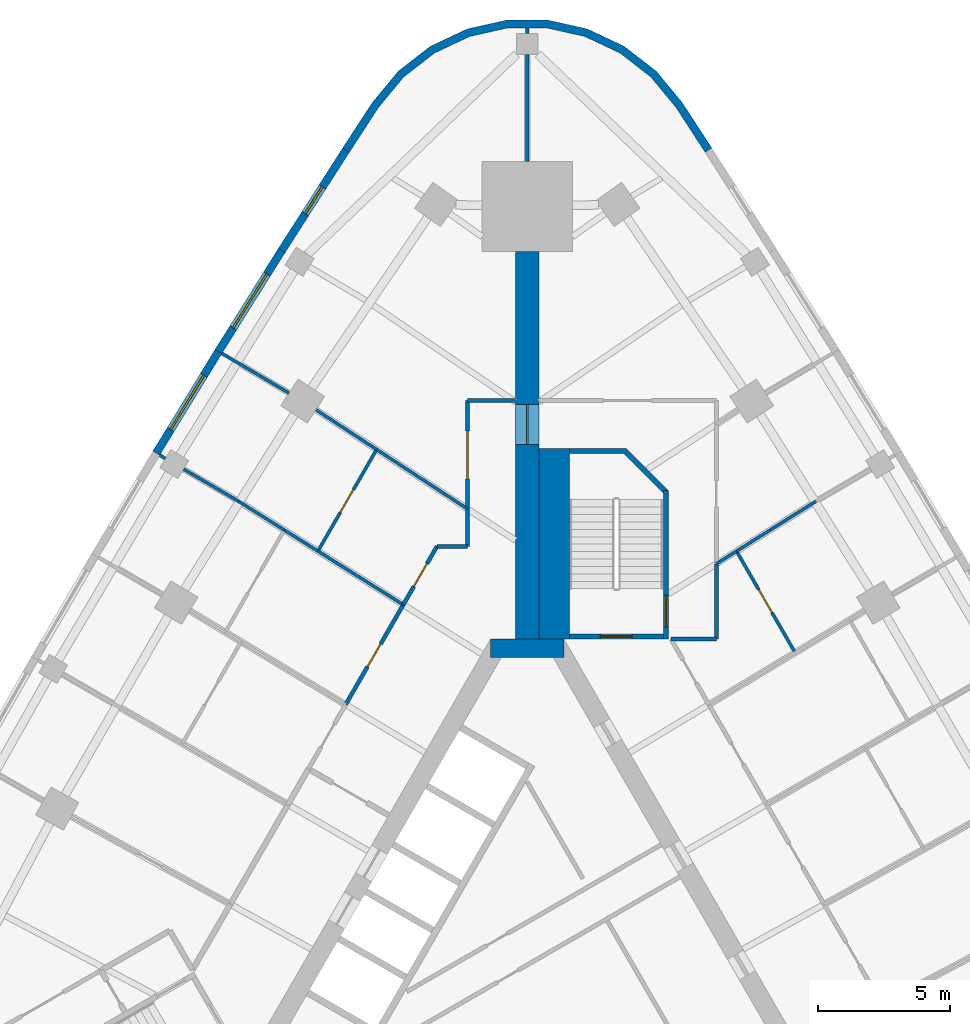
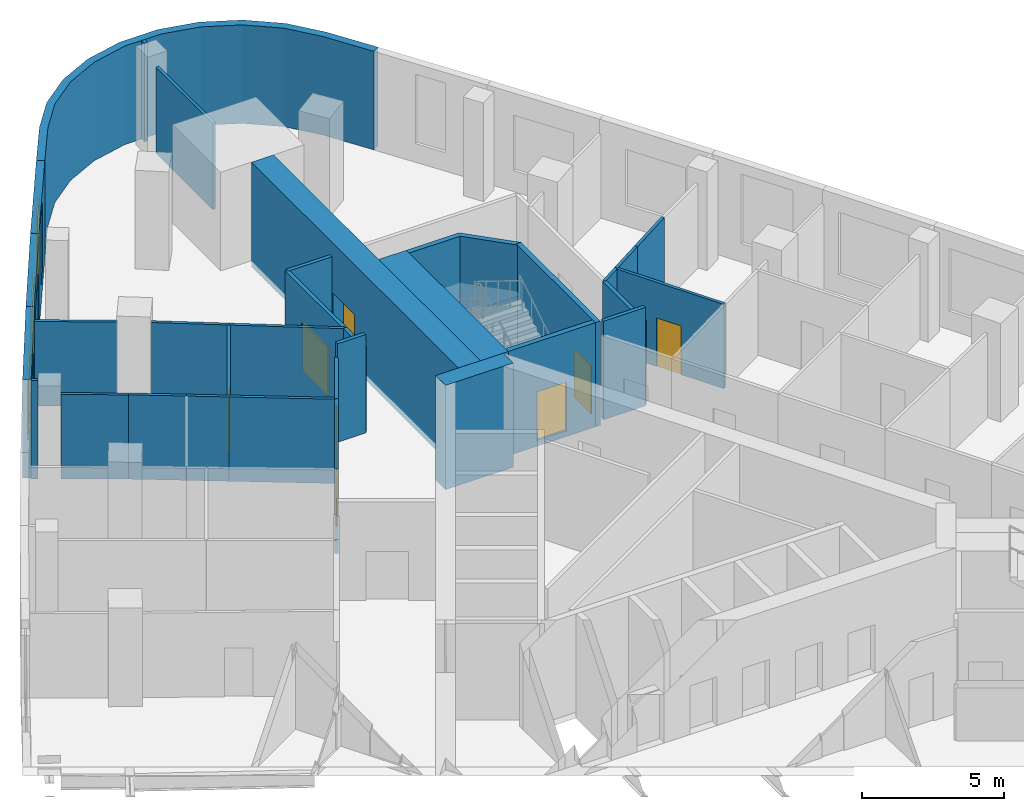
# One storey, part 9 of 11: 33 walls, 8 doors, 3 windows, 11 openings.
"""IFC4 building model written with IfcOpenShell, lengths in metres."""

from ifc_helpers import new_model, si_unit, direction, frame, frame_2d, origin, place, context, subcontext, project, spatial, polyline, rectangle, outline, extrude, material, layer, layer_set, type_object, element, fill, save


model = new_model("IFC4")

# Units and contexts
model_context = context("Model", 3, precision=1e-05, world=origin(), true_north=direction((0.0, 1.0)))
body_context = subcontext(model_context, "Body", "Model", "MODEL_VIEW")
ifc_project = project(units=[si_unit("LENGTHUNIT", "METRE"), si_unit("AREAUNIT", "SQUARE_METRE"), si_unit("VOLUMEUNIT", "CUBIC_METRE"), si_unit("PLANEANGLEUNIT", "RADIAN"), si_unit("MASSUNIT", "GRAM", prefix="KILO")], contexts=[model_context])

# Site, building, storey
site_placement = place(None, origin())
site = spatial("IfcSite", under=ifc_project, at=site_placement, CompositionType="ELEMENT")
building_placement = place(site_placement, origin())
building = spatial("IfcBuilding", under=site, at=building_placement, Name="Noor Cloister Tower", CompositionType="ELEMENT")
storey_placement = place(building_placement, frame((0.0, 0.0, 10.5)))
storey = spatial("IfcBuildingStorey", under=building, at=storey_placement, Name="L02", CompositionType="ELEMENT", Elevation=10.5)

# Wall, opening, door
ifc_material_1 = material(Name="Concrete C80/95", Category="concrete")
ifc_layer_1 = layer(ifc_material_1, 0.89990234375)
ifc_layer_set_1 = layer_set([ifc_layer_1], Name="Buttress wall 900 C80/95")
wall_type_1 = type_object("IfcWallType", Name="Buttress wall 900 C80/95", PredefinedType="SHEAR", material=ifc_layer_set_1)
wall_1_placement = place(storey_placement, frame((0.0, 11.456298828125, -0.25), z_axis=(0.0, 0.0, 1.0), x_axis=(0.0, 1.0, 0.0)))
wall_1 = element("IfcWall", 1, at=wall_1_placement, inside=storey, type_object=wall_type_1, Name="Buttress wall N L02", PredefinedType="SHEAR", context=body_context, shape_type="SweptSolid", body=[
    extrude(rectangle(XDim=14.6328125, YDim=0.89990234375, at=frame_2d((7.31640625, 0.0))), origin(), (0.0, 0.0, 1.0), 4.5),
])
opening_1_placement = place(wall_1_placement, frame((7.35009765625, 0.0, 0.25)))
opening_1 = element("IfcOpeningElement", 2, at=opening_1_placement, cuts=wall_1, Name="Opening L02-035", PredefinedType="OPENING", context=body_context, shape_type="SweptSolid", body=[
    extrude(rectangle(XDim=1.5, YDim=2.10009765625, at=frame_2d((0.75, 1.050048828125))), frame((0.0, 0.4599609375, 0.0), z_axis=(0.0, -1.0, 0.0), x_axis=(1.0, 0.0, 0.0)), (0.0, 0.0, 1.0), 0.919921875),
])
ifc_material_2 = material(Name="Steel fire door", Category="steel")
door_type_1 = type_object("IfcDoorType", Name="Smoke barrier door FD60 1500", OperationType="DOUBLE_DOOR_SINGLE_SWING", PredefinedType="DOOR", material=ifc_material_2)
door_1_placement = place(opening_1_placement, origin())
door_1 = element("IfcDoor", 3, at=door_1_placement, inside=storey, type_object=door_type_1, Name="Door L02-035", OperationType="DOUBLE_DOOR_SINGLE_SWING", OverallHeight=2.10009765625, OverallWidth=1.5, PredefinedType="DOOR", context=body_context, shape_type="SweptSolid", body=[
    extrude(rectangle(XDim=1.5, YDim=2.10009765625, at=frame_2d((0.75, 1.050048828125))), frame((0.0, 0.02490234375, 0.0), z_axis=(0.0, -1.0, 0.0), x_axis=(1.0, 0.0, 0.0)), (0.0, 0.0, 1.0), 0.050048828125),
])
fill(opening_1, door_1)

# Walls
ifc_material_3 = material(Name="Concrete C80/95", Category="concrete")
ifc_layer_2 = layer(ifc_material_3, 0.699951171875)
ifc_layer_set_2 = layer_set([ifc_layer_2], Name="Core wall 700 C80/95")
wall_type_2 = type_object("IfcWallType", Name="Core wall 700 C80/95", PredefinedType="SHEAR", material=ifc_layer_set_2)
wall_2_placement = place(storey_placement, frame((1.3857421875, 11.1064453125, -0.25), z_axis=(0.0, 0.0, 1.0), x_axis=(-1.0, 0.0, 0.0)))
element("IfcWall", 4, at=wall_2_placement, inside=storey, type_object=wall_type_2, Name="Core wall L02 4", PredefinedType="SHEAR", context=body_context, shape_type="SweptSolid", body=[
    extrude(rectangle(XDim=2.771484375, YDim=0.699951171875, at=frame_2d((1.3857421875, 0.0))), origin(), (0.0, 0.0, 1.0), 4.5),
])
ifc_material_4 = material(Name="Plasterboard on steel studs", Category="steel")
ifc_layer_3 = layer(ifc_material_4, 0.14990234375)
ifc_layer_set_3 = layer_set([ifc_layer_3], Name="Corridor wall 150")
wall_type_3 = type_object("IfcWallType", Name="Corridor wall 150", PredefinedType="PARTITIONING", material=ifc_layer_set_3)
wall_3_placement = place(storey_placement, frame((5.427001953125, 11.4560546875, 0.0), z_axis=(0.0, 0.0, 1.0), x_axis=(1.0, 0.0, 0.0)))
element("IfcWall", 5, at=wall_3_placement, inside=storey, type_object=wall_type_3, Name="Partition", PredefinedType="PARTITIONING", context=body_context, shape_type="SweptSolid", body=[
    extrude(rectangle(XDim=1.7080078125, YDim=0.14990234375, at=frame_2d((0.85400390625, 0.0))), origin(), (0.0, 0.0, 1.0), 4.25),
])
wall_4_placement = place(storey_placement, frame((7.135986328125, 11.45703125, 0.0), z_axis=(0.0, 0.0, 1.0), x_axis=(0.0, 1.0, 0.0)))
element("IfcWall", 6, at=wall_4_placement, inside=storey, type_object=wall_type_3, Name="Partition", PredefinedType="PARTITIONING", context=body_context, shape_type="SweptSolid", body=[
    extrude(rectangle(XDim=2.840087890625, YDim=0.14990234375, at=frame_2d((1.419921875, 0.0))), origin(), (0.0, 0.0, 1.0), 3.637939453125),
])

# Wall, opening, door
ifc_material_5 = material(Name="Plasterboard on steel studs", Category="steel")
ifc_layer_4 = layer(ifc_material_5, 0.14990234375)
ifc_layer_set_4 = layer_set([ifc_layer_4], Name="Corridor wall 150 EI 60")
wall_type_4 = type_object("IfcWallType", Name="Corridor wall 150 EI 60", PredefinedType="PARTITIONING", material=ifc_layer_set_4)
wall_5_placement = place(storey_placement, frame((-6.85791015625, 8.97900390625, 0.0), z_axis=(0.0, 0.0, 1.0), x_axis=(0.500105111742, 0.865964708986, 0.0)))
wall_5 = element("IfcWall", 7, at=wall_5_placement, inside=storey, type_object=wall_type_4, Name="Partition", PredefinedType="PARTITIONING", context=body_context, shape_type="SweptSolid", body=[
    extrude(rectangle(XDim=4.36279296875, YDim=0.14990234375, at=frame_2d((2.181396484375, 0.0))), origin(), (0.0, 0.0, 1.0), 3.637939453125),
])
opening_2_placement = place(wall_5_placement, frame((1.64990234375, 0.0, 0.0)))
opening_2 = element("IfcOpeningElement", 8, at=opening_2_placement, cuts=wall_5, Name="Opening L02-024", PredefinedType="OPENING", context=body_context, shape_type="SweptSolid", body=[
    extrude(rectangle(XDim=1.0, YDim=2.10009765625, at=frame_2d((0.5, 1.050048828125))), frame((0.0, 0.0849609375, 0.0), z_axis=(0.0, -1.0, 0.0), x_axis=(1.0, 0.0, 0.0)), (0.0, 0.0, 1.0), 0.169921875),
])
ifc_material_6 = material(Name="Timber door leaf", Category="wood")
door_type_2 = type_object("IfcDoorType", Name="Clinic room door 1000 FD60", OperationType="SINGLE_SWING_LEFT", PredefinedType="DOOR", material=ifc_material_6)
door_2_placement = place(opening_2_placement, origin())
door_2 = element("IfcDoor", 9, at=door_2_placement, inside=storey, type_object=door_type_2, Name="Door L02-024", OperationType="SINGLE_SWING_LEFT", OverallHeight=2.10009765625, OverallWidth=1.0, PredefinedType="DOOR", context=body_context, shape_type="SweptSolid", body=[
    extrude(rectangle(XDim=1.0, YDim=2.10009765625, at=frame_2d((0.5, 1.050048828125))), frame((0.0, 0.02490234375, 0.0), z_axis=(0.0, -1.0, 0.0), x_axis=(1.0, 0.0, 0.0)), (0.0, 0.0, 1.0), 0.050048828125),
])
fill(opening_2, door_2)

# Walls
wall_6_placement = place(storey_placement, frame((-2.25, 16.366943359375, 0.0), z_axis=(0.0, 0.0, 1.0), x_axis=(0.0, -1.0, 0.0)))
element("IfcWall", 10, at=wall_6_placement, inside=storey, type_object=wall_type_4, Name="Partition", PredefinedType="PARTITIONING", context=body_context, shape_type="SweptSolid", body=[
    extrude(rectangle(XDim=1.410888671875, YDim=0.14990234375, at=frame_2d((0.70556640625, 0.0))), origin(), (0.0, 0.0, 1.0), 3.637939453125),
])
wall_7_placement = place(storey_placement, frame((-2.25, 14.9560546875, 0.0), z_axis=(0.0, 0.0, 1.0), x_axis=(-1.0, 0.0, 0.0)))
element("IfcWall", 11, at=wall_7_placement, inside=storey, type_object=wall_type_4, Name="Partition", PredefinedType="PARTITIONING", context=body_context, shape_type="SweptSolid", body=[
    extrude(rectangle(XDim=1.156005859375, YDim=0.14990234375, at=frame_2d((0.578125, 0.0))), origin(), (0.0, 0.0, 1.0), 4.25),
])

# Wall, opening, door
wall_8_placement = place(storey_placement, frame((-3.406005859375, 14.9560546875, 0.0), z_axis=(0.0, 0.0, 1.0), x_axis=(-0.499999364504, -0.866025770688, 0.0)))
wall_8 = element("IfcWall", 12, at=wall_8_placement, inside=storey, type_object=wall_type_4, Name="Partition", PredefinedType="PARTITIONING", context=body_context, shape_type="SweptSolid", body=[
    extrude(rectangle(XDim=2.5439453125, YDim=0.14990234375, at=frame_2d((1.27197265625, 0.0))), origin(), (0.0, 0.0, 1.0), 3.637939453125),
])
opening_3_placement = place(wall_8_placement, frame((0.75, 0.0, 0.0)))
opening_3 = element("IfcOpeningElement", 13, at=opening_3_placement, cuts=wall_8, Name="Opening L02-028", PredefinedType="OPENING", context=body_context, shape_type="SweptSolid", body=[
    extrude(rectangle(XDim=1.0, YDim=2.10009765625, at=frame_2d((0.5, 1.050048828125))), frame((0.0, 0.0849609375, 0.0), z_axis=(0.0, -1.0, 0.0), x_axis=(1.0, 0.0, 0.0)), (0.0, 0.0, 1.0), 0.169921875),
])
door_3_placement = place(opening_3_placement, origin())
door_3 = element("IfcDoor", 14, at=door_3_placement, inside=storey, type_object=door_type_2, Name="Door L02-028", OperationType="SINGLE_SWING_RIGHT", OverallHeight=2.10009765625, OverallWidth=1.0, PredefinedType="DOOR", context=body_context, shape_type="SweptSolid", body=[
    extrude(rectangle(XDim=1.0, YDim=2.10009765625, at=frame_2d((0.5, 1.050048828125))), frame((0.0, 0.02490234375, 0.0), z_axis=(0.0, -1.0, 0.0), x_axis=(1.0, 0.0, 0.0)), (0.0, 0.0, 1.0), 0.050048828125),
])
fill(opening_3, door_3)

# Wall
wall_9_placement = place(storey_placement, frame((-0.449951171875, 20.4560546875, 0.0), z_axis=(0.0, 0.0, 1.0), x_axis=(-1.0, 0.0, 0.0)))
element("IfcWall", 15, at=wall_9_placement, inside=storey, type_object=wall_type_4, Name="Partition", PredefinedType="PARTITIONING", context=body_context, shape_type="SweptSolid", body=[
    extrude(rectangle(XDim=1.800048828125, YDim=0.14990234375, at=frame_2d((0.89990234375, 0.0))), origin(), (0.0, 0.0, 1.0), 3.637939453125),
])

# Wall, opening, door
wall_10_placement = place(storey_placement, frame((-2.25, 20.4560546875, 0.0), z_axis=(0.0, 0.0, 1.0), x_axis=(0.0, -1.0, 0.0)))
wall_10 = element("IfcWall", 16, at=wall_10_placement, inside=storey, type_object=wall_type_4, Name="Partition", PredefinedType="PARTITIONING", context=body_context, shape_type="SweptSolid", body=[
    extrude(rectangle(XDim=4.089111328125, YDim=0.14990234375, at=frame_2d((2.04443359375, 0.0))), origin(), (0.0, 0.0, 1.0), 3.637939453125),
])
opening_4_placement = place(wall_10_placement, frame((1.14990234375, 0.0, 0.0)))
opening_4 = element("IfcOpeningElement", 17, at=opening_4_placement, cuts=wall_10, Name="Opening L02-031", PredefinedType="OPENING", context=body_context, shape_type="SweptSolid", body=[
    extrude(rectangle(XDim=1.800048828125, YDim=2.10009765625, at=frame_2d((0.89990234375, 1.050048828125))), frame((0.0, 0.0849609375, 0.0), z_axis=(0.0, -1.0, 0.0), x_axis=(1.0, 0.0, 0.0)), (0.0, 0.0, 1.0), 0.169921875),
])
ifc_material_7 = material(Name="Timber door leaf", Category="wood")
door_type_3 = type_object("IfcDoorType", Name="Double leaf door 1800 FD60", OperationType="DOUBLE_DOOR_SINGLE_SWING", PredefinedType="DOOR", material=ifc_material_7)
door_4_placement = place(opening_4_placement, origin())
door_4 = element("IfcDoor", 18, at=door_4_placement, inside=storey, type_object=door_type_3, Name="Door L02-031", OperationType="DOUBLE_DOOR_SINGLE_SWING", OverallHeight=2.10009765625, OverallWidth=1.800048828125, PredefinedType="DOOR", context=body_context, shape_type="SweptSolid", body=[
    extrude(rectangle(XDim=1.800048828125, YDim=2.10009765625, at=frame_2d((0.89990234375, 1.050048828125))), frame((0.0, 0.02490234375, 0.0), z_axis=(0.0, -1.0, 0.0), x_axis=(1.0, 0.0, 0.0)), (0.0, 0.0, 1.0), 0.050048828125),
])
fill(opening_4, door_4)

# Wall
ifc_material_8 = material(Name="Limestone", Category="masonry")
ifc_layer_5 = layer(ifc_material_8, 0.300048828125)
ifc_layer_set_5 = layer_set([ifc_layer_5], Name="Limestone cladding 300")
wall_type_5 = type_object("IfcWallType", Name="Limestone cladding 300", PredefinedType="NOTDEFINED", material=ifc_layer_set_5)
wall_11_placement = place(storey_placement, origin())
element("IfcWall", 19, at=wall_11_placement, inside=storey, type_object=wall_type_5, Name="Limestone pier cladding L02 3.1", PredefinedType="NOTDEFINED", context=body_context, shape_type="SweptSolid", body=[
    extrude(outline(polyline([(6.96728515625, 29.991943359375), (5.85693359375, 31.69677734375), (4.877685546875, 32.884033203125), (3.662841796875, 33.828369140625), (2.27099609375, 34.484619140625), (0.769287109375, 34.82080078125), (-0.769287109375, 34.82080078125), (-2.27099609375, 34.484619140625), (-3.662841796875, 33.828369140625), (-4.877685546875, 32.884033203125), (-5.85693359375, 31.69677734375), (-6.96728515625, 29.991943359375), (-6.7158203125, 29.828125), (-5.61474609375, 31.51904296875), (-4.667236328125, 32.66748046875), (-3.5048828125, 33.571044921875), (-2.173095703125, 34.198974609375), (-0.736328125, 34.520751953125), (0.736328125, 34.520751953125), (2.173095703125, 34.198974609375), (3.5048828125, 33.571044921875), (4.667236328125, 32.66748046875), (5.61474609375, 31.51904296875), (6.7158203125, 29.828125), (6.96728515625, 29.991943359375)])), origin(), (0.0, 0.0, 1.0), 4.25),
])

# Wall, opening, window
ifc_material_9 = material(Name="Limestone", Category="masonry")
ifc_layer_6 = layer(ifc_material_9, 0.300048828125)
ifc_layer_set_6 = layer_set([ifc_layer_6], Name="Limestone panel wall 300")
wall_type_6 = type_object("IfcWallType", Name="Limestone panel wall 300", PredefinedType="NOTDEFINED", material=ifc_layer_set_6)
wall_12_placement = place(storey_placement, frame((-9.267578125, 26.12353515625, 0.0), z_axis=(0.0, 0.0, 1.0), x_axis=(0.539483537275, 0.841996147859, 0.0)))
wall_12 = element("IfcWall", 20, at=wall_12_placement, inside=storey, type_object=wall_type_6, Name="Limestone wall L02 NW 1", PredefinedType="NOTDEFINED", context=body_context, shape_type="SweptSolid", body=[
    extrude(rectangle(XDim=4.49609375, YDim=0.300048828125, at=frame_2d((2.248046875, 0.0))), origin(), (0.0, 0.0, 1.0), 4.25),
])
opening_5_placement = place(wall_12_placement, frame((1.64794921875, 0.0, 0.800048828125)))
opening_5 = element("IfcOpeningElement", 21, at=opening_5_placement, cuts=wall_12, Name="Opening L02-W01", PredefinedType="OPENING", context=body_context, shape_type="SweptSolid", body=[
    extrude(rectangle(XDim=1.199951171875, YDim=3.0, at=frame_2d((0.60009765625, 1.5))), frame((0.0, 0.16015625, 0.0), z_axis=(0.0, -1.0, 0.0), x_axis=(1.0, 0.0, 0.0)), (0.0, 0.0, 1.0), 0.320068359375),
])
ifc_material_10 = material(Name="Aluminium 6063-T6 anodised", Category="aluminium")
window_type_1 = type_object("IfcWindowType", Name="Lancet window 1200 x 3000", PartitioningType="SINGLE_PANEL", PredefinedType="WINDOW", material=ifc_material_10)
window_1_placement = place(opening_5_placement, origin())
window_1 = element("IfcWindow", 22, at=window_1_placement, inside=storey, type_object=window_type_1, Name="Window L02 1", OverallHeight=3.0, OverallWidth=1.199951171875, PartitioningType="SINGLE_PANEL", PredefinedType="WINDOW", context=body_context, shape_type="SweptSolid", body=[
    extrude(rectangle(XDim=1.199951171875, YDim=3.0, at=frame_2d((0.60009765625, 1.5))), frame((0.0, 0.030029296875, 0.0), z_axis=(0.0, -1.0, 0.0), x_axis=(1.0, 0.0, 0.0)), (0.0, 0.0, 1.0), 0.06005859375),
])
fill(opening_5, window_1)

wall_13_placement = place(storey_placement, frame((-11.6552734375, 22.311279296875, 0.0), z_axis=(0.0, 0.0, 1.0), x_axis=(0.530804082031, 0.847494558389, 0.0)))
wall_13 = element("IfcWall", 23, at=wall_13_placement, inside=storey, type_object=wall_type_6, Name="Limestone wall L02 NW 2", PredefinedType="NOTDEFINED", context=body_context, shape_type="SweptSolid", body=[
    extrude(rectangle(XDim=4.495849609375, YDim=0.300048828125, at=frame_2d((2.248046875, 0.0))), origin(), (0.0, 0.0, 1.0), 4.25),
])
opening_6_placement = place(wall_13_placement, frame((1.048095703125, 0.0, 0.89990234375)))
opening_6 = element("IfcOpeningElement", 24, at=opening_6_placement, cuts=wall_13, Name="Opening L02-W02", PredefinedType="OPENING", context=body_context, shape_type="SweptSolid", body=[
    extrude(rectangle(XDim=2.39990234375, YDim=2.39990234375, at=frame_2d((1.199951171875, 1.199951171875))), frame((0.0, 0.16015625, 0.0), z_axis=(0.0, -1.0, 0.0), x_axis=(1.0, 0.0, 0.0)), (0.0, 0.0, 1.0), 0.320068359375),
])
ifc_material_11 = material(Name="Aluminium 6063-T6 anodised", Category="aluminium")
window_type_2 = type_object("IfcWindowType", Name="Clinic window 2400 x 2400", PartitioningType="DOUBLE_PANEL_VERTICAL", PredefinedType="WINDOW", material=ifc_material_11)
window_2_placement = place(opening_6_placement, origin())
window_2 = element("IfcWindow", 25, at=window_2_placement, inside=storey, type_object=window_type_2, Name="Window L02 2", OverallHeight=2.39990234375, OverallWidth=2.39990234375, PartitioningType="DOUBLE_PANEL_VERTICAL", PredefinedType="WINDOW", context=body_context, shape_type="SweptSolid", body=[
    extrude(rectangle(XDim=2.39990234375, YDim=2.39990234375, at=frame_2d((1.199951171875, 1.199951171875))), frame((0.0, 0.030029296875, 0.0), z_axis=(0.0, -1.0, 0.0), x_axis=(1.0, 0.0, 0.0)), (0.0, 0.0, 1.0), 0.06005859375),
])
fill(opening_6, window_2)

wall_14_placement = place(storey_placement, frame((-14.003662109375, 18.474609375, 0.0), z_axis=(0.0, 0.0, 1.0), x_axis=(0.522078085402, 0.852897691838, 0.0)))
wall_14 = element("IfcWall", 26, at=wall_14_placement, inside=storey, type_object=wall_type_6, Name="Limestone wall L02 NW 3", PredefinedType="NOTDEFINED", context=body_context, shape_type="SweptSolid", body=[
    extrude(rectangle(XDim=4.495849609375, YDim=0.300048828125, at=frame_2d((2.248046875, 0.0))), origin(), (0.0, 0.0, 1.0), 4.25),
])
opening_7_placement = place(wall_14_placement, frame((1.048095703125, 0.0, 0.89990234375)))
opening_7 = element("IfcOpeningElement", 27, at=opening_7_placement, cuts=wall_14, Name="Opening L02-W03", PredefinedType="OPENING", context=body_context, shape_type="SweptSolid", body=[
    extrude(rectangle(XDim=2.39990234375, YDim=2.39990234375, at=frame_2d((1.199951171875, 1.199951171875))), frame((0.0, 0.16015625, 0.0), z_axis=(0.0, -1.0, 0.0), x_axis=(1.0, 0.0, 0.0)), (0.0, 0.0, 1.0), 0.320068359375),
])
window_3_placement = place(opening_7_placement, origin())
window_3 = element("IfcWindow", 28, at=window_3_placement, inside=storey, type_object=window_type_2, Name="Window L02 3", OverallHeight=2.39990234375, OverallWidth=2.39990234375, PartitioningType="DOUBLE_PANEL_VERTICAL", PredefinedType="WINDOW", context=body_context, shape_type="SweptSolid", body=[
    extrude(rectangle(XDim=2.39990234375, YDim=2.39990234375, at=frame_2d((1.199951171875, 1.199951171875))), frame((0.0, 0.030029296875, 0.0), z_axis=(0.0, -1.0, 0.0), x_axis=(1.0, 0.0, 0.0)), (0.0, 0.0, 1.0), 0.06005859375),
])
fill(opening_7, window_3)

# Wall, opening, door
ifc_material_12 = material(Name="Plasterboard on steel studs", Category="steel")
ifc_layer_7 = layer(ifc_material_12, 0.1201171875)
ifc_layer_set_7 = layer_set([ifc_layer_7], Name="Partition wall 120")
wall_type_7 = type_object("IfcWallType", Name="Partition wall 120", PredefinedType="PARTITIONING", material=ifc_layer_set_7)
wall_15_placement = place(storey_placement, frame((10.110107421875, 10.943115234375, 0.0), z_axis=(0.0, 0.0, 1.0), x_axis=(-0.49990879683, 0.866078053556, 0.0)))
wall_15 = element("IfcWall", 29, at=wall_15_placement, inside=storey, type_object=wall_type_7, Name="Partition", PredefinedType="PARTITIONING", context=body_context, shape_type="SweptSolid", body=[
    extrude(rectangle(XDim=4.423095703125, YDim=0.1201171875, at=frame_2d((2.21142578125, 0.0))), origin(), (0.0, 0.0, 1.0), 3.637939453125),
])
opening_8_placement = place(wall_15_placement, frame((1.75, 0.0, 0.0)))
opening_8 = element("IfcOpeningElement", 30, at=opening_8_placement, cuts=wall_15, Name="Opening L02-026", PredefinedType="OPENING", context=body_context, shape_type="SweptSolid", body=[
    extrude(rectangle(XDim=1.0, YDim=2.10009765625, at=frame_2d((0.5, 1.050048828125))), frame((0.0, 0.070068359375, 0.0), z_axis=(0.0, -1.0, 0.0), x_axis=(1.0, 0.0, 0.0)), (0.0, 0.0, 1.0), 0.14013671875),
])
ifc_material_13 = material(Name="Timber door leaf", Category="wood")
door_type_4 = type_object("IfcDoorType", Name="Clinic room door 1000", OperationType="SINGLE_SWING_LEFT", PredefinedType="DOOR", material=ifc_material_13)
door_5_placement = place(opening_8_placement, origin())
door_5 = element("IfcDoor", 31, at=door_5_placement, inside=storey, type_object=door_type_4, Name="Door L02-026", OperationType="SINGLE_SWING_LEFT", OverallHeight=2.10009765625, OverallWidth=1.0, PredefinedType="DOOR", context=body_context, shape_type="SweptSolid", body=[
    extrude(rectangle(XDim=1.0, YDim=2.10009765625, at=frame_2d((0.5, 1.050048828125))), frame((0.0, 0.02490234375, 0.0), z_axis=(0.0, -1.0, 0.0), x_axis=(1.0, 0.0, 0.0)), (0.0, 0.0, 1.0), 0.050048828125),
])
fill(opening_8, door_5)

# Walls
wall_16_placement = place(storey_placement, frame((7.89892578125, 14.77392578125, 0.0), z_axis=(0.0, 0.0, 1.0), x_axis=(-0.847402109943, -0.530951658877, 0.0)))
element("IfcWall", 32, at=wall_16_placement, inside=storey, type_object=wall_type_7, Name="Partition", PredefinedType="PARTITIONING", context=body_context, shape_type="SweptSolid", body=[
    extrude(rectangle(XDim=0.89794921875, YDim=0.1201171875, at=frame_2d((0.448974609375, 0.0))), origin(), (0.0, 0.0, 1.0), 3.637939453125),
])
wall_17_placement = place(storey_placement, frame((10.89794921875, 16.657958984375, 0.0), z_axis=(0.0, 0.0, 1.0), x_axis=(-0.846907532623, -0.531740191435, 0.0)))
element("IfcWall", 33, at=wall_17_placement, inside=storey, type_object=wall_type_7, Name="Partition", PredefinedType="PARTITIONING", context=body_context, shape_type="SweptSolid", body=[
    extrude(rectangle(XDim=2.040283203125, YDim=0.1201171875, at=frame_2d((1.02001953125, 0.0))), origin(), (0.0, 0.0, 1.0), 3.637939453125),
])
wall_18_placement = place(storey_placement, frame((9.169921875, 15.572021484375, 0.0), z_axis=(0.0, 0.0, 1.0), x_axis=(-0.846881470123, -0.531781699161, 0.0)))
element("IfcWall", 34, at=wall_18_placement, inside=storey, type_object=wall_type_7, Name="Partition", PredefinedType="PARTITIONING", context=body_context, shape_type="SweptSolid", body=[
    extrude(rectangle(XDim=1.500732421875, YDim=0.1201171875, at=frame_2d((0.75048828125, 0.0))), origin(), (0.0, 0.0, 1.0), 3.637939453125),
])
ifc_material_14 = material(Name="Plasterboard on steel studs", Category="steel")
ifc_layer_8 = layer(ifc_material_14, 0.1201171875)
ifc_layer_set_8 = layer_set([ifc_layer_8], Name="Partition wall 120 EI 60")
wall_type_8 = type_object("IfcWallType", Name="Partition wall 120 EI 60", PredefinedType="PARTITIONING", material=ifc_layer_set_8)
wall_19_placement = place(storey_placement, frame((-4.679931640625, 12.7529296875, 0.0), z_axis=(0.0, 0.0, 1.0), x_axis=(-0.846844902979, 0.531839929206, 0.0)))
element("IfcWall", 35, at=wall_19_placement, inside=storey, type_object=wall_type_8, Name="Partition", PredefinedType="PARTITIONING", context=body_context, shape_type="SweptSolid", body=[
    extrude(rectangle(XDim=3.800048828125, YDim=0.1201171875, at=frame_2d((1.89990234375, 0.0))), origin(), (0.0, 0.0, 1.0), 3.637939453125),
])
wall_20_placement = place(storey_placement, frame((-7.90087890625, 14.77587890625, 0.0), z_axis=(0.0, 0.0, 1.0), x_axis=(-0.847002237732, 0.531589323892, 0.0)))
element("IfcWall", 36, at=wall_20_placement, inside=storey, type_object=wall_type_8, Name="Partition", PredefinedType="PARTITIONING", context=body_context, shape_type="SweptSolid", body=[
    extrude(rectangle(XDim=1.503173828125, YDim=0.1201171875, at=frame_2d((0.75146484375, 0.0))), origin(), (0.0, 0.0, 1.0), 3.637939453125),
])
wall_21_placement = place(storey_placement, frame((-13.657958984375, 18.27294921875, 0.0), z_axis=(0.0, 0.0, 1.0), x_axis=(-0.863885093979, 0.503688936151, 0.0)))
element("IfcWall", 37, at=wall_21_placement, inside=storey, type_object=wall_type_8, Name="Partition", PredefinedType="PARTITIONING", context=body_context, shape_type="SweptSolid", body=[
    extrude(rectangle(XDim=0.25, YDim=0.1201171875, at=frame_2d((0.125, 0.0))), origin(), (0.0, 0.0, 1.0), 4.25),
])
wall_22_placement = place(storey_placement, frame((-9.166015625, 15.571044921875, 0.0), z_axis=(0.0, 0.0, 1.0), x_axis=(-0.84701751501, 0.531564981227, 0.0)))
element("IfcWall", 38, at=wall_22_placement, inside=storey, type_object=wall_type_8, Name="Partition", PredefinedType="PARTITIONING", context=body_context, shape_type="SweptSolid", body=[
    extrude(rectangle(XDim=2.044677734375, YDim=0.1201171875, at=frame_2d((1.0224609375, 0.0))), origin(), (0.0, 0.0, 1.0), 3.637939453125),
])
wall_23_placement = place(storey_placement, frame((-10.89794921875, 16.657958984375, 0.0), z_axis=(0.0, 0.0, 1.0), x_axis=(-0.863161652457, 0.504927679701, 0.0)))
element("IfcWall", 39, at=wall_23_placement, inside=storey, type_object=wall_type_8, Name="Partition", PredefinedType="PARTITIONING", context=body_context, shape_type="SweptSolid", body=[
    extrude(rectangle(XDim=2.398193359375, YDim=0.1201171875, at=frame_2d((1.19921875, 0.0))), origin(), (0.0, 0.0, 1.0), 3.637939453125),
])

# Wall, opening, door
wall_24_placement = place(storey_placement, frame((-5.68408203125, 18.611083984375, 0.0), z_axis=(0.0, 0.0, 1.0), x_axis=(-0.500099413844, -0.865967999567, 0.0)))
wall_24 = element("IfcWall", 40, at=wall_24_placement, inside=storey, type_object=wall_type_8, Name="Partition", PredefinedType="PARTITIONING", context=body_context, shape_type="SweptSolid", body=[
    extrude(rectangle(XDim=4.4287109375, YDim=0.1201171875, at=frame_2d((2.21435546875, 0.0))), origin(), (0.0, 0.0, 1.0), 3.637939453125),
])
opening_9_placement = place(wall_24_placement, frame((1.75, 0.0, 0.0)))
opening_9 = element("IfcOpeningElement", 41, at=opening_9_placement, cuts=wall_24, Name="Opening L02-029", PredefinedType="OPENING", context=body_context, shape_type="SweptSolid", body=[
    extrude(rectangle(XDim=1.0, YDim=2.10009765625, at=frame_2d((0.5, 1.050048828125))), frame((0.0, 0.070068359375, 0.0), z_axis=(0.0, -1.0, 0.0), x_axis=(1.0, 0.0, 0.0)), (0.0, 0.0, 1.0), 0.14013671875),
])
door_6_placement = place(opening_9_placement, origin())
door_6 = element("IfcDoor", 42, at=door_6_placement, inside=storey, type_object=door_type_2, Name="Door L02-029", OperationType="SINGLE_SWING_LEFT", OverallHeight=2.10009765625, OverallWidth=1.0, PredefinedType="DOOR", context=body_context, shape_type="SweptSolid", body=[
    extrude(rectangle(XDim=1.0, YDim=2.10009765625, at=frame_2d((0.5, 1.050048828125))), frame((0.0, 0.02490234375, 0.0), z_axis=(0.0, -1.0, 0.0), x_axis=(1.0, 0.0, 0.0)), (0.0, 0.0, 1.0), 0.050048828125),
])
fill(opening_9, door_6)

# Walls
wall_25_placement = place(storey_placement, frame((-2.251953125, 16.366943359375, 0.0), z_axis=(0.0, 0.0, 1.0), x_axis=(-0.836925574982, 0.547316710819, 0.0)))
element("IfcWall", 43, at=wall_25_placement, inside=storey, type_object=wall_type_8, Name="Partition", PredefinedType="PARTITIONING", context=body_context, shape_type="SweptSolid", body=[
    extrude(rectangle(XDim=4.10205078125, YDim=0.1201171875, at=frame_2d((2.051025390625, 0.0))), origin(), (0.0, 0.0, 1.0), 3.637939453125),
])
wall_26_placement = place(storey_placement, frame((-8.991943359375, 20.742919921875, 0.0), z_axis=(0.0, 0.0, 1.0), x_axis=(-0.861228913487, 0.508217235613, 0.0)))
element("IfcWall", 44, at=wall_26_placement, inside=storey, type_object=wall_type_8, Name="Partition", PredefinedType="PARTITIONING", context=body_context, shape_type="SweptSolid", body=[
    extrude(rectangle(XDim=2.93994140625, YDim=0.1201171875, at=frame_2d((1.469970703125, 0.0))), origin(), (0.0, 0.0, 1.0), 3.633056640625),
])
wall_27_placement = place(storey_placement, frame((-5.68505859375, 18.612060546875, 0.0), z_axis=(0.0, 0.0, 1.0), x_axis=(-0.836813840242, 0.547487531163, 0.0)))
element("IfcWall", 45, at=wall_27_placement, inside=storey, type_object=wall_type_8, Name="Partition", PredefinedType="PARTITIONING", context=body_context, shape_type="SweptSolid", body=[
    extrude(rectangle(XDim=2.73388671875, YDim=0.1201171875, at=frame_2d((1.366943359375, 0.0))), origin(), (0.0, 0.0, 1.0), 3.637939453125),
])
wall_28_placement = place(storey_placement, frame((0.0, 29.489013671875, 0.0), z_axis=(0.0, 0.0, 1.0), x_axis=(0.0, 1.0, 0.0)))
element("IfcWall", 46, at=wall_28_placement, inside=storey, type_object=wall_type_8, Name="Partition", PredefinedType="PARTITIONING", context=body_context, shape_type="SweptSolid", body=[
    extrude(rectangle(XDim=4.02392578125, YDim=0.1201171875, at=frame_2d((2.011962890625, 0.0))), origin(), (0.0, 0.0, 1.0), 3.717041015625),
])
wall_29_placement = place(storey_placement, frame((0.0, 34.31298828125, 0.0), z_axis=(0.0, 0.0, 1.0), x_axis=(0.0, 1.0, 0.0)))
element("IfcWall", 47, at=wall_29_placement, inside=storey, type_object=wall_type_8, Name="Partition", PredefinedType="PARTITIONING", context=body_context, shape_type="SweptSolid", body=[
    extrude(rectangle(XDim=0.2080078125, YDim=0.1201171875, at=frame_2d((0.10400390625, 0.0))), origin(), (0.0, 0.0, 1.0), 4.25),
])
ifc_material_15 = material(Name="Concrete C80/95", Category="concrete")
ifc_layer_9 = layer(ifc_material_15, 1.135986328125)
ifc_layer_set_9 = layer_set([ifc_layer_9], Name="Stair enclosure wall 1136 C80/95")
wall_type_9 = type_object("IfcWallType", Name="Stair enclosure wall 1136 C80/95", PredefinedType="SHEAR", material=ifc_layer_set_9)
wall_30_placement = place(storey_placement, frame((1.017822265625, 11.456298828125, -0.25), z_axis=(0.0, 0.0, 1.0), x_axis=(0.0, 1.0, 0.0)))
element("IfcWall", 48, at=wall_30_placement, inside=storey, type_object=wall_type_9, Name="Stair enclosure wall ST1 L02 riser side", PredefinedType="SHEAR", context=body_context, shape_type="SweptSolid", body=[
    extrude(rectangle(XDim=7.2001953125, YDim=1.1357421875, at=frame_2d((3.60009765625, 0.0))), origin(), (0.0, 0.0, 1.0), 4.5),
])

# Wall, opening, door
ifc_material_16 = material(Name="Concrete C80/95", Category="concrete")
ifc_layer_10 = layer(ifc_material_16, 0.199951171875)
ifc_layer_set_10 = layer_set([ifc_layer_10], Name="Stair enclosure wall 200 C80/95")
wall_type_10 = type_object("IfcWallType", Name="Stair enclosure wall 200 C80/95", PredefinedType="SHEAR", material=ifc_layer_set_10)
wall_31_placement = place(storey_placement, frame((5.135498046875, 11.556396484375, -0.25), z_axis=(0.0, 0.0, 1.0), x_axis=(-1.0, 0.0, 0.0)))
wall_31 = element("IfcWall", 49, at=wall_31_placement, inside=storey, type_object=wall_type_10, Name="Stair enclosure wall ST1 L02 near end", PredefinedType="SHEAR", context=body_context, shape_type="SweptSolid", body=[
    extrude(rectangle(XDim=3.5498046875, YDim=0.199951171875, at=frame_2d((1.77490234375, 0.0))), origin(), (0.0, 0.0, 1.0), 4.5),
])
opening_10_placement = place(wall_31_placement, frame((1.175048828125, 0.0, 0.25)))
opening_10 = element("IfcOpeningElement", 50, at=opening_10_placement, cuts=wall_31, Name="Opening L02-ST1L", PredefinedType="OPENING", context=body_context, shape_type="SweptSolid", body=[
    extrude(rectangle(XDim=1.199951171875, YDim=2.10009765625, at=frame_2d((0.60009765625, 1.050048828125))), frame((0.0, 0.10986328125, 0.0), z_axis=(0.0, -1.0, 0.0), x_axis=(1.0, 0.0, 0.0)), (0.0, 0.0, 1.0), 0.219970703125),
])
ifc_material_17 = material(Name="Steel", Category="steel")
door_type_5 = type_object("IfcDoorType", Name="Stair door 1200 x 2100 FD120", OperationType="SINGLE_SWING_LEFT", PredefinedType="DOOR", material=ifc_material_17)
door_7_placement = place(opening_10_placement, origin())
door_7 = element("IfcDoor", 51, at=door_7_placement, inside=storey, type_object=door_type_5, Name="Stair door ST1 L02", OperationType="SINGLE_SWING_RIGHT", OverallHeight=2.10009765625, OverallWidth=1.199951171875, PredefinedType="DOOR", context=body_context, shape_type="SweptSolid", body=[
    extrude(rectangle(XDim=1.199951171875, YDim=2.10009765625, at=frame_2d((0.60009765625, 1.050048828125))), frame((0.0, 0.02490234375, 0.0), z_axis=(0.0, -1.0, 0.0), x_axis=(1.0, 0.0, 0.0)), (0.0, 0.0, 1.0), 0.050048828125),
])
fill(opening_10, door_7)

wall_32_placement = place(storey_placement, frame((5.235595703125, 11.456298828125, -0.25), z_axis=(0.0, 0.0, 1.0), x_axis=(0.0, 1.0, 0.0)))
wall_32 = element("IfcWall", 52, at=wall_32_placement, inside=storey, type_object=wall_type_10, Name="Stair enclosure wall ST1 L02 outer side", PredefinedType="SHEAR", context=body_context, shape_type="SweptSolid", body=[
    extrude(rectangle(XDim=5.60009765625, YDim=0.199951171875, at=frame_2d((2.800048828125, 0.0))), origin(), (0.0, 0.0, 1.0), 4.5),
])
opening_11_placement = place(wall_32_placement, frame((0.449951171875, 0.0, 0.25)))
opening_11 = element("IfcOpeningElement", 53, at=opening_11_placement, cuts=wall_32, Name="Opening L02-ST1C", PredefinedType="OPENING", context=body_context, shape_type="SweptSolid", body=[
    extrude(rectangle(XDim=1.199951171875, YDim=2.10009765625, at=frame_2d((0.60009765625, 1.050048828125))), frame((0.0, 0.10986328125, 0.0), z_axis=(0.0, -1.0, 0.0), x_axis=(1.0, 0.0, 0.0)), (0.0, 0.0, 1.0), 0.219970703125),
])
door_8_placement = place(opening_11_placement, origin())
door_8 = element("IfcDoor", 54, at=door_8_placement, inside=storey, type_object=door_type_5, Name="Stair door ST1 L02", OperationType="SINGLE_SWING_LEFT", OverallHeight=2.10009765625, OverallWidth=1.199951171875, PredefinedType="DOOR", context=body_context, shape_type="SweptSolid", body=[
    extrude(rectangle(XDim=1.199951171875, YDim=2.10009765625, at=frame_2d((0.60009765625, 1.050048828125))), frame((0.0, 0.02490234375, 0.0), z_axis=(0.0, -1.0, 0.0), x_axis=(1.0, 0.0, 0.0)), (0.0, 0.0, 1.0), 0.050048828125),
])
fill(opening_11, door_8)

# Wall
ifc_material_18 = material(Name="Concrete C80/95", Category="concrete")
wall_type_11 = type_object("IfcWallType", Name="Stair far end wall C80/95", PredefinedType="SHEAR", material=ifc_material_18)
wall_33_placement = place(storey_placement, frame((0.0, 0.0, -0.25)))
element("IfcWall", 55, at=wall_33_placement, inside=storey, type_object=wall_type_11, Name="Stair enclosure wall ST1 L02 far end", PredefinedType="SHEAR", context=body_context, shape_type="SweptSolid", body=[
    extrude(outline(polyline([(5.335693359375, 17.056396484375), (3.735595703125, 18.656494140625), (1.585693359375, 18.656494140625), (1.585693359375, 18.456298828125), (3.65283203125, 18.456298828125), (5.135498046875, 16.9736328125), (5.135498046875, 17.056396484375), (5.135498046875, 17.056396484375), (5.135498046875, 17.056396484375), (5.135498046875, 17.056396484375), (5.135498046875, 17.056396484375), (5.135498046875, 17.056396484375), (5.135498046875, 17.056396484375), (5.135498046875, 17.056396484375), (5.135498046875, 17.056396484375), (5.135498046875, 17.056396484375), (5.135498046875, 17.056396484375), (5.135498046875, 17.056396484375), (5.135498046875, 17.056396484375), (5.135498046875, 17.056396484375), (5.135498046875, 17.056396484375), (5.135498046875, 17.056396484375), (5.135498046875, 17.056396484375), (5.335693359375, 17.056396484375)])), origin(), (0.0, 0.0, 1.0), 4.5),
])

save(model, "model.ifc")
